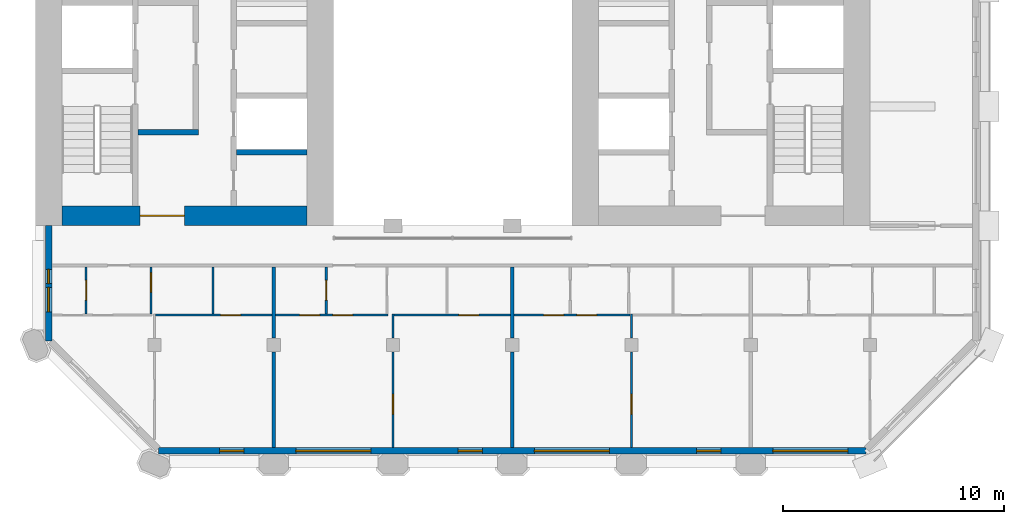
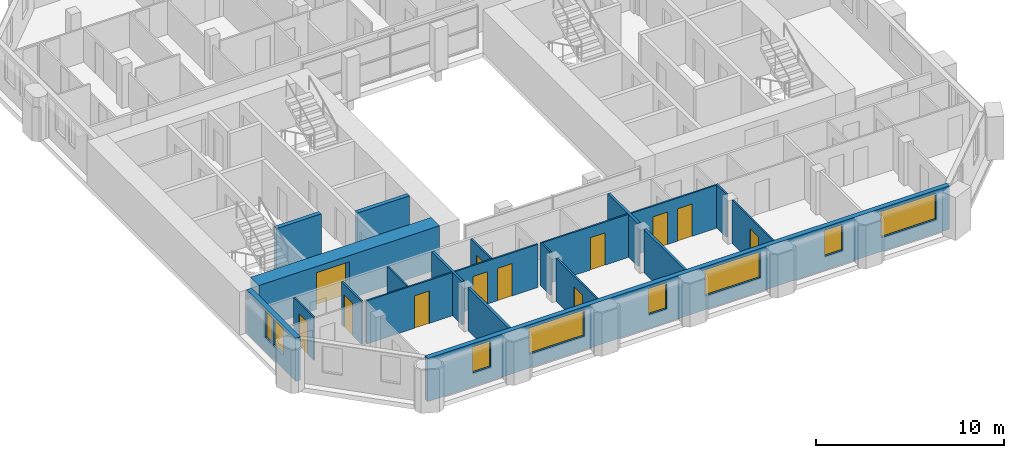
# One storey, part 4 of 13: 21 walls, 12 doors, 8 windows, 20 openings.
"""IFC4 building model written with IfcOpenShell, lengths in metres."""

from ifc_helpers import new_model, si_unit, direction, frame, frame_2d, origin, place, context, subcontext, project, spatial, rectangle, extrude, material, layer, layer_set, type_object, element, fill, save


model = new_model("IFC4")

# Units and contexts
model_context = context("Model", 3, precision=1e-05, world=origin(), true_north=direction((0.0, 1.0)))
body_context = subcontext(model_context, "Body", "Model", "MODEL_VIEW")
ifc_project = project(units=[si_unit("LENGTHUNIT", "METRE"), si_unit("AREAUNIT", "SQUARE_METRE"), si_unit("VOLUMEUNIT", "CUBIC_METRE"), si_unit("PLANEANGLEUNIT", "RADIAN"), si_unit("MASSUNIT", "GRAM", prefix="KILO")], contexts=[model_context])

# Site, building, storey
site_placement = place(None, origin())
site = spatial("IfcSite", under=ifc_project, at=site_placement, CompositionType="ELEMENT")
building_placement = place(site_placement, origin())
building = spatial("IfcBuilding", under=site, at=building_placement, Name="Tabaq Tower and Sports Hall", CompositionType="ELEMENT")
storey_placement = place(building_placement, frame((0.0, 0.0, 304.89990234375)))
storey = spatial("IfcBuildingStorey", under=building, at=storey_placement, Name="L76", CompositionType="ELEMENT", Elevation=304.89990234375)

# Wall, opening, door
ifc_material_1 = material(Name="Concrete C40/50", Category="concrete")
ifc_layer_1 = layer(ifc_material_1, 0.89990234375)
ifc_layer_set_1 = layer_set([ifc_layer_1], Name="Core wall 900 Concrete C40/50")
wall_type_1 = type_object("IfcWallType", Name="Core wall 900 Concrete C40/50", PredefinedType="SOLIDWALL", material=ifc_layer_set_1)
wall_1_placement = place(storey_placement, frame((17.699951171875, 16.64990234375, 0.0), z_axis=(0.0, 0.0, 1.0), x_axis=(-1.0, 0.0, 0.0)))
wall_1 = element("IfcWall", 1, at=wall_1_placement, inside=storey, type_object=wall_type_1, Name="Core wall W L76", PredefinedType="SOLIDWALL", context=body_context, shape_type="SweptSolid", body=[
    extrude(rectangle(XDim=11.099853515625, YDim=0.89990234375, at=frame_2d((5.5498046875, 0.0))), origin(), (0.0, 0.0, 1.0), 2.800048828125),
])
opening_1_placement = place(wall_1_placement, frame((5.550048828125, 0.0, 0.0)))
opening_1 = element("IfcOpeningElement", 2, at=opening_1_placement, cuts=wall_1, Name="Opening PD-WL76-01", PredefinedType="OPENING", context=body_context, shape_type="SweptSolid", body=[
    extrude(rectangle(XDim=2.0, YDim=2.39990234375, at=frame_2d((1.0, 1.199951171875))), frame((0.0, 0.449951171875, 0.0), z_axis=(0.0, -1.0, 0.0), x_axis=(1.0, 0.0, 0.0)), (0.0, 0.0, 1.0), 0.89990234375),
])
ifc_material_2 = material(Name="Steel fire door", Category="steel")
door_type_1 = type_object("IfcDoorType", Name="Core entrance door 2000", OperationType="DOUBLE_DOOR_SINGLE_SWING", PredefinedType="DOOR", material=ifc_material_2)
door_1_placement = place(opening_1_placement, origin())
door_1 = element("IfcDoor", 3, at=door_1_placement, inside=storey, type_object=door_type_1, Name="Core entrance south W L76", OperationType="DOUBLE_DOOR_SINGLE_SWING", OverallHeight=2.39990234375, OverallWidth=2.0, PredefinedType="DOOR", context=body_context, shape_type="SweptSolid", body=[
    extrude(rectangle(XDim=2.0, YDim=2.39990234375, at=frame_2d((1.0, 1.199951171875))), frame((0.0, 0.02490234375, 0.0), z_axis=(0.0, -1.0, 0.0), x_axis=(1.0, 0.0, 0.0)), (0.0, 0.0, 1.0), 0.050048828125),
])
fill(opening_1, door_1)

ifc_material_3 = material(Name="Gypsum board on steel studs", Category="steel")
ifc_layer_2 = layer(ifc_material_3, 0.10009765625)
ifc_layer_set_2 = layer_set([ifc_layer_2], Name="Partition 100 Gypsum board")
wall_type_2 = type_object("IfcWallType", Name="Partition 100 Gypsum board", PredefinedType="PARTITIONING", material=ifc_layer_set_2)
wall_2_placement = place(storey_placement, frame((16.125, 12.14990234375, 0.0), z_axis=(0.0, 0.0, 1.0), x_axis=(-1.0, 0.0, 0.0)))
wall_2 = element("IfcWall", 4, at=wall_2_placement, inside=storey, type_object=wall_type_2, Name="Partition wall L76", PredefinedType="PARTITIONING", context=body_context, shape_type="SweptSolid", body=[
    extrude(rectangle(XDim=5.27490234375, YDim=0.10009765625, at=frame_2d((2.637451171875, 0.0))), origin(), (0.0, 0.0, 1.0), 2.800048828125),
])
opening_2_placement = place(wall_2_placement, frame((1.429931640625, 0.0, 0.0)))
opening_2 = element("IfcOpeningElement", 5, at=opening_2_placement, cuts=wall_2, Name="Opening L76-019", PredefinedType="OPENING", context=body_context, shape_type="SweptSolid", body=[
    extrude(rectangle(XDim=0.89990234375, YDim=2.10009765625, at=frame_2d((0.449951171875, 1.050048828125))), frame((0.0, 0.050048828125, 0.0), z_axis=(0.0, -1.0, 0.0), x_axis=(1.0, 0.0, 0.0)), (0.0, 0.0, 1.0), 0.10009765625),
])
ifc_material_4 = material(Name="Timber leaf in steel frame", Category="steel")
door_type_2 = type_object("IfcDoorType", Name="Internal door 900 left hand", OperationType="SINGLE_SWING_LEFT", PredefinedType="DOOR", material=ifc_material_4)
door_2_placement = place(opening_2_placement, origin())
door_2 = element("IfcDoor", 6, at=door_2_placement, inside=storey, type_object=door_type_2, Name="Internal door L76-019", OperationType="SINGLE_SWING_LEFT", OverallHeight=2.10009765625, OverallWidth=0.89990234375, PredefinedType="DOOR", context=body_context, shape_type="SweptSolid", body=[
    extrude(rectangle(XDim=0.89990234375, YDim=2.10009765625, at=frame_2d((0.449951171875, 1.050048828125))), frame((0.0, 0.02490234375, 0.0), z_axis=(0.0, -1.0, 0.0), x_axis=(1.0, 0.0, 0.0)), (0.0, 0.0, 1.0), 0.050048828125),
])
fill(opening_2, door_2)

wall_3_placement = place(storey_placement, frame((7.699951171875, 12.199951171875, 0.0), z_axis=(0.0, 0.0, 1.0), x_axis=(0.0, 1.0, 0.0)))
wall_3 = element("IfcWall", 7, at=wall_3_placement, inside=storey, type_object=wall_type_2, Name="Partition wall L76", PredefinedType="PARTITIONING", context=body_context, shape_type="SweptSolid", body=[
    extrude(rectangle(XDim=2.125, YDim=0.10009765625, at=frame_2d((1.0625, 0.0))), origin(), (0.0, 0.0, 1.0), 2.800048828125),
])
opening_3_placement = place(wall_3_placement, frame((0.625, 0.0, 0.0)))
opening_3 = element("IfcOpeningElement", 8, at=opening_3_placement, cuts=wall_3, Name="Opening L76-041", PredefinedType="OPENING", context=body_context, shape_type="SweptSolid", body=[
    extrude(rectangle(XDim=0.89990234375, YDim=2.10009765625, at=frame_2d((0.449951171875, 1.050048828125))), frame((0.0, 0.050048828125, 0.0), z_axis=(0.0, -1.0, 0.0), x_axis=(1.0, 0.0, 0.0)), (0.0, 0.0, 1.0), 0.10009765625),
])
ifc_material_5 = material(Name="Timber leaf in steel frame", Category="steel")
door_type_3 = type_object("IfcDoorType", Name="Internal door 900 right hand", OperationType="SINGLE_SWING_RIGHT", PredefinedType="DOOR", material=ifc_material_5)
door_3_placement = place(opening_3_placement, origin())
door_3 = element("IfcDoor", 9, at=door_3_placement, inside=storey, type_object=door_type_3, Name="Internal door L76-041", OperationType="SINGLE_SWING_RIGHT", OverallHeight=2.10009765625, OverallWidth=0.89990234375, PredefinedType="DOOR", context=body_context, shape_type="SweptSolid", body=[
    extrude(rectangle(XDim=0.89990234375, YDim=2.10009765625, at=frame_2d((0.449951171875, 1.050048828125))), frame((0.0, 0.02490234375, 0.0), z_axis=(0.0, -1.0, 0.0), x_axis=(1.0, 0.0, 0.0)), (0.0, 0.0, 1.0), 0.050048828125),
])
fill(opening_3, door_3)

wall_4_placement = place(storey_placement, frame((10.639892578125, 12.199951171875, 0.0), z_axis=(0.0, 0.0, 1.0), x_axis=(0.0, 1.0, 0.0)))
wall_4 = element("IfcWall", 10, at=wall_4_placement, inside=storey, type_object=wall_type_2, Name="Partition wall L76", PredefinedType="PARTITIONING", context=body_context, shape_type="SweptSolid", body=[
    extrude(rectangle(XDim=2.125, YDim=0.10009765625, at=frame_2d((1.0625, 0.0))), origin(), (0.0, 0.0, 1.0), 2.800048828125),
])
opening_4_placement = place(wall_4_placement, frame((0.97509765625, 0.0, 0.0)))
opening_4 = element("IfcOpeningElement", 11, at=opening_4_placement, cuts=wall_4, Name="Opening L76-020", PredefinedType="OPENING", context=body_context, shape_type="SweptSolid", body=[
    extrude(rectangle(XDim=0.89990234375, YDim=2.10009765625, at=frame_2d((0.449951171875, 1.050048828125))), frame((0.0, 0.050048828125, 0.0), z_axis=(0.0, -1.0, 0.0), x_axis=(1.0, 0.0, 0.0)), (0.0, 0.0, 1.0), 0.10009765625),
])
door_4_placement = place(opening_4_placement, origin())
door_4 = element("IfcDoor", 12, at=door_4_placement, inside=storey, type_object=door_type_3, Name="Internal door L76-020", OperationType="SINGLE_SWING_RIGHT", OverallHeight=2.10009765625, OverallWidth=0.89990234375, PredefinedType="DOOR", context=body_context, shape_type="SweptSolid", body=[
    extrude(rectangle(XDim=0.89990234375, YDim=2.10009765625, at=frame_2d((0.449951171875, 1.050048828125))), frame((0.0, 0.02490234375, 0.0), z_axis=(0.0, -1.0, 0.0), x_axis=(1.0, 0.0, 0.0)), (0.0, 0.0, 1.0), 0.050048828125),
])
fill(opening_4, door_4)

# Wall
wall_5_placement = place(storey_placement, frame((13.43994140625, 12.199951171875, 0.0), z_axis=(0.0, 0.0, 1.0), x_axis=(0.0, 1.0, 0.0)))
element("IfcWall", 13, at=wall_5_placement, inside=storey, type_object=wall_type_2, Name="Partition wall L76", PredefinedType="PARTITIONING", context=body_context, shape_type="SweptSolid", body=[
    extrude(rectangle(XDim=2.125, YDim=0.10009765625, at=frame_2d((1.0625, 0.0))), origin(), (0.0, 0.0, 1.0), 2.800048828125),
])

# Wall, opening, door
wall_6_placement = place(storey_placement, frame((21.60009765625, 6.15087890625, 0.0), z_axis=(0.0, 0.0, 1.0), x_axis=(0.0, 1.0, 0.0)))
wall_6 = element("IfcWall", 14, at=wall_6_placement, inside=storey, type_object=wall_type_2, Name="Partition wall L76", PredefinedType="PARTITIONING", context=body_context, shape_type="SweptSolid", body=[
    extrude(rectangle(XDim=4.3291015625, YDim=0.10009765625, at=frame_2d((2.16455078125, 0.0))), origin(), (0.0, 0.0, 1.0), 2.800048828125),
])
opening_5_placement = place(wall_6_placement, frame((1.51806640625, 0.0, 0.0)))
opening_5 = element("IfcOpeningElement", 15, at=opening_5_placement, cuts=wall_6, Name="Opening L76-042", PredefinedType="OPENING", context=body_context, shape_type="SweptSolid", body=[
    extrude(rectangle(XDim=0.89990234375, YDim=2.10009765625, at=frame_2d((0.449951171875, 1.050048828125))), frame((0.0, 0.050048828125, 0.0), z_axis=(0.0, -1.0, 0.0), x_axis=(1.0, 0.0, 0.0)), (0.0, 0.0, 1.0), 0.10009765625),
])
door_5_placement = place(opening_5_placement, origin())
door_5 = element("IfcDoor", 16, at=door_5_placement, inside=storey, type_object=door_type_3, Name="Internal door L76-042", OperationType="SINGLE_SWING_RIGHT", OverallHeight=2.10009765625, OverallWidth=0.89990234375, PredefinedType="DOOR", context=body_context, shape_type="SweptSolid", body=[
    extrude(rectangle(XDim=0.89990234375, YDim=2.10009765625, at=frame_2d((0.449951171875, 1.050048828125))), frame((0.0, 0.02490234375, 0.0), z_axis=(0.0, -1.0, 0.0), x_axis=(1.0, 0.0, 0.0)), (0.0, 0.0, 1.0), 0.050048828125),
])
fill(opening_5, door_5)

# Wall
wall_7_placement = place(storey_placement, frame((21.60009765625, 11.1201171875, 0.0), z_axis=(0.0, 0.0, 1.0), x_axis=(0.0, 1.0, 0.0)))
element("IfcWall", 17, at=wall_7_placement, inside=storey, type_object=wall_type_2, Name="Partition wall L76", PredefinedType="PARTITIONING", context=body_context, shape_type="SweptSolid", body=[
    extrude(rectangle(XDim=1.079833984375, YDim=0.10009765625, at=frame_2d((0.5400390625, 0.0))), origin(), (0.0, 0.0, 1.0), 2.800048828125),
])

# Wall, openings, doors
wall_8_placement = place(storey_placement, frame((21.3720703125, 12.14990234375, 0.0), z_axis=(0.0, 0.0, 1.0), x_axis=(-1.0, 0.0, 0.0)))
wall_8 = element("IfcWall", 18, at=wall_8_placement, inside=storey, type_object=wall_type_2, Name="Partition wall L76", PredefinedType="PARTITIONING", context=body_context, shape_type="SweptSolid", body=[
    extrude(rectangle(XDim=5.09716796875, YDim=0.10009765625, at=frame_2d((2.548583984375, 0.0))), origin(), (0.0, 0.0, 1.0), 2.800048828125),
])
opening_6_placement = place(wall_8_placement, frame((3.10009765625, 0.0, 0.0)))
opening_6 = element("IfcOpeningElement", 19, at=opening_6_placement, cuts=wall_8, Name="Opening L76-043", PredefinedType="OPENING", context=body_context, shape_type="SweptSolid", body=[
    extrude(rectangle(XDim=0.89990234375, YDim=2.10009765625, at=frame_2d((0.449951171875, 1.050048828125))), frame((0.0, 0.050048828125, 0.0), z_axis=(0.0, -1.0, 0.0), x_axis=(1.0, 0.0, 0.0)), (0.0, 0.0, 1.0), 0.10009765625),
])
opening_7_placement = place(wall_8_placement, frame((1.60009765625, 0.0, 0.0)))
opening_7 = element("IfcOpeningElement", 20, at=opening_7_placement, cuts=wall_8, Name="Opening L76-056", PredefinedType="OPENING", context=body_context, shape_type="SweptSolid", body=[
    extrude(rectangle(XDim=0.89990234375, YDim=2.10009765625, at=frame_2d((0.449951171875, 1.050048828125))), frame((0.0, 0.050048828125, 0.0), z_axis=(0.0, -1.0, 0.0), x_axis=(1.0, 0.0, 0.0)), (0.0, 0.0, 1.0), 0.10009765625),
])
door_6_placement = place(opening_7_placement, origin())
door_6 = element("IfcDoor", 21, at=door_6_placement, inside=storey, type_object=door_type_2, Name="Internal door L76-056", OperationType="SINGLE_SWING_LEFT", OverallHeight=2.10009765625, OverallWidth=0.89990234375, PredefinedType="DOOR", context=body_context, shape_type="SweptSolid", body=[
    extrude(rectangle(XDim=0.89990234375, YDim=2.10009765625, at=frame_2d((0.449951171875, 1.050048828125))), frame((0.0, 0.02490234375, 0.0), z_axis=(0.0, -1.0, 0.0), x_axis=(1.0, 0.0, 0.0)), (0.0, 0.0, 1.0), 0.050048828125),
])
fill(opening_7, door_6)
door_7_placement = place(opening_6_placement, origin())
door_7 = element("IfcDoor", 22, at=door_7_placement, inside=storey, type_object=door_type_3, Name="Internal door L76-043", OperationType="SINGLE_SWING_RIGHT", OverallHeight=2.10009765625, OverallWidth=0.89990234375, PredefinedType="DOOR", context=body_context, shape_type="SweptSolid", body=[
    extrude(rectangle(XDim=0.89990234375, YDim=2.10009765625, at=frame_2d((0.449951171875, 1.050048828125))), frame((0.0, 0.02490234375, 0.0), z_axis=(0.0, -1.0, 0.0), x_axis=(1.0, 0.0, 0.0)), (0.0, 0.0, 1.0), 0.050048828125),
])
fill(opening_6, door_7)

# Wall, opening, door
wall_9_placement = place(storey_placement, frame((26.925048828125, 12.14990234375, 0.0), z_axis=(0.0, 0.0, 1.0), x_axis=(-1.0, 0.0, 0.0)))
wall_9 = element("IfcWall", 23, at=wall_9_placement, inside=storey, type_object=wall_type_2, Name="Partition wall L76", PredefinedType="PARTITIONING", context=body_context, shape_type="SweptSolid", body=[
    extrude(rectangle(XDim=5.275146484375, YDim=0.10009765625, at=frame_2d((2.6376953125, 0.0))), origin(), (0.0, 0.0, 1.0), 2.800048828125),
])
opening_8_placement = place(wall_9_placement, frame((1.441650390625, 0.0, 0.0)))
opening_8 = element("IfcOpeningElement", 24, at=opening_8_placement, cuts=wall_9, Name="Opening L76-021", PredefinedType="OPENING", context=body_context, shape_type="SweptSolid", body=[
    extrude(rectangle(XDim=0.89990234375, YDim=2.10009765625, at=frame_2d((0.449951171875, 1.050048828125))), frame((0.0, 0.050048828125, 0.0), z_axis=(0.0, -1.0, 0.0), x_axis=(1.0, 0.0, 0.0)), (0.0, 0.0, 1.0), 0.10009765625),
])
door_8_placement = place(opening_8_placement, origin())
door_8 = element("IfcDoor", 25, at=door_8_placement, inside=storey, type_object=door_type_2, Name="Internal door L76-021", OperationType="SINGLE_SWING_LEFT", OverallHeight=2.10009765625, OverallWidth=0.89990234375, PredefinedType="DOOR", context=body_context, shape_type="SweptSolid", body=[
    extrude(rectangle(XDim=0.89990234375, YDim=2.10009765625, at=frame_2d((0.449951171875, 1.050048828125))), frame((0.0, 0.02490234375, 0.0), z_axis=(0.0, -1.0, 0.0), x_axis=(1.0, 0.0, 0.0)), (0.0, 0.0, 1.0), 0.050048828125),
])
fill(opening_8, door_8)

wall_10_placement = place(storey_placement, frame((18.572021484375, 12.199951171875, 0.0), z_axis=(0.0, 0.0, 1.0), x_axis=(0.0, 1.0, 0.0)))
wall_10 = element("IfcWall", 26, at=wall_10_placement, inside=storey, type_object=wall_type_2, Name="Partition wall L76", PredefinedType="PARTITIONING", context=body_context, shape_type="SweptSolid", body=[
    extrude(rectangle(XDim=2.125, YDim=0.10009765625, at=frame_2d((1.0625, 0.0))), origin(), (0.0, 0.0, 1.0), 2.800048828125),
])
opening_9_placement = place(wall_10_placement, frame((0.625, 0.0, 0.0)))
opening_9 = element("IfcOpeningElement", 27, at=opening_9_placement, cuts=wall_10, Name="Opening L76-044", PredefinedType="OPENING", context=body_context, shape_type="SweptSolid", body=[
    extrude(rectangle(XDim=0.89990234375, YDim=2.10009765625, at=frame_2d((0.449951171875, 1.050048828125))), frame((0.0, 0.050048828125, 0.0), z_axis=(0.0, -1.0, 0.0), x_axis=(1.0, 0.0, 0.0)), (0.0, 0.0, 1.0), 0.10009765625),
])
door_9_placement = place(opening_9_placement, origin())
door_9 = element("IfcDoor", 28, at=door_9_placement, inside=storey, type_object=door_type_2, Name="Internal door L76-044", OperationType="SINGLE_SWING_LEFT", OverallHeight=2.10009765625, OverallWidth=0.89990234375, PredefinedType="DOOR", context=body_context, shape_type="SweptSolid", body=[
    extrude(rectangle(XDim=0.89990234375, YDim=2.10009765625, at=frame_2d((0.449951171875, 1.050048828125))), frame((0.0, 0.02490234375, 0.0), z_axis=(0.0, -1.0, 0.0), x_axis=(1.0, 0.0, 0.0)), (0.0, 0.0, 1.0), 0.050048828125),
])
fill(opening_9, door_9)

wall_11_placement = place(storey_placement, frame((32.39990234375, 6.15087890625, 0.0), z_axis=(0.0, 0.0, 1.0), x_axis=(0.0, 1.0, 0.0)))
wall_11 = element("IfcWall", 29, at=wall_11_placement, inside=storey, type_object=wall_type_2, Name="Partition wall L76", PredefinedType="PARTITIONING", context=body_context, shape_type="SweptSolid", body=[
    extrude(rectangle(XDim=4.3291015625, YDim=0.10009765625, at=frame_2d((2.16455078125, 0.0))), origin(), (0.0, 0.0, 1.0), 2.800048828125),
])
opening_10_placement = place(wall_11_placement, frame((1.51806640625, 0.0, 0.0)))
opening_10 = element("IfcOpeningElement", 30, at=opening_10_placement, cuts=wall_11, Name="Opening L76-045", PredefinedType="OPENING", context=body_context, shape_type="SweptSolid", body=[
    extrude(rectangle(XDim=0.89990234375, YDim=2.10009765625, at=frame_2d((0.449951171875, 1.050048828125))), frame((0.0, 0.050048828125, 0.0), z_axis=(0.0, -1.0, 0.0), x_axis=(1.0, 0.0, 0.0)), (0.0, 0.0, 1.0), 0.10009765625),
])
door_10_placement = place(opening_10_placement, origin())
door_10 = element("IfcDoor", 31, at=door_10_placement, inside=storey, type_object=door_type_2, Name="Internal door L76-045", OperationType="SINGLE_SWING_LEFT", OverallHeight=2.10009765625, OverallWidth=0.89990234375, PredefinedType="DOOR", context=body_context, shape_type="SweptSolid", body=[
    extrude(rectangle(XDim=0.89990234375, YDim=2.10009765625, at=frame_2d((0.449951171875, 1.050048828125))), frame((0.0, 0.02490234375, 0.0), z_axis=(0.0, -1.0, 0.0), x_axis=(1.0, 0.0, 0.0)), (0.0, 0.0, 1.0), 0.050048828125),
])
fill(opening_10, door_10)

# Wall
wall_12_placement = place(storey_placement, frame((32.39990234375, 11.1201171875, 0.0), z_axis=(0.0, 0.0, 1.0), x_axis=(0.0, 1.0, 0.0)))
element("IfcWall", 32, at=wall_12_placement, inside=storey, type_object=wall_type_2, Name="Partition wall L76", PredefinedType="PARTITIONING", context=body_context, shape_type="SweptSolid", body=[
    extrude(rectangle(XDim=1.079833984375, YDim=0.10009765625, at=frame_2d((0.5400390625, 0.0))), origin(), (0.0, 0.0, 1.0), 2.800048828125),
])

# Wall, openings, doors
wall_13_placement = place(storey_placement, frame((32.324951171875, 12.14990234375, 0.0), z_axis=(0.0, 0.0, 1.0), x_axis=(-1.0, 0.0, 0.0)))
wall_13 = element("IfcWall", 33, at=wall_13_placement, inside=storey, type_object=wall_type_2, Name="Partition wall L76", PredefinedType="PARTITIONING", context=body_context, shape_type="SweptSolid", body=[
    extrude(rectangle(XDim=5.25, YDim=0.10009765625, at=frame_2d((2.625, 0.0))), origin(), (0.0, 0.0, 1.0), 2.800048828125),
])
opening_11_placement = place(wall_13_placement, frame((3.0, 0.0, 0.0)))
opening_11 = element("IfcOpeningElement", 34, at=opening_11_placement, cuts=wall_13, Name="Opening L76-046", PredefinedType="OPENING", context=body_context, shape_type="SweptSolid", body=[
    extrude(rectangle(XDim=0.89990234375, YDim=2.10009765625, at=frame_2d((0.449951171875, 1.050048828125))), frame((0.0, 0.050048828125, 0.0), z_axis=(0.0, -1.0, 0.0), x_axis=(1.0, 0.0, 0.0)), (0.0, 0.0, 1.0), 0.10009765625),
])
opening_12_placement = place(wall_13_placement, frame((1.5, 0.0, 0.0)))
opening_12 = element("IfcOpeningElement", 35, at=opening_12_placement, cuts=wall_13, Name="Opening L76-057", PredefinedType="OPENING", context=body_context, shape_type="SweptSolid", body=[
    extrude(rectangle(XDim=0.89990234375, YDim=2.10009765625, at=frame_2d((0.449951171875, 1.050048828125))), frame((0.0, 0.050048828125, 0.0), z_axis=(0.0, -1.0, 0.0), x_axis=(1.0, 0.0, 0.0)), (0.0, 0.0, 1.0), 0.10009765625),
])
door_11_placement = place(opening_12_placement, origin())
door_11 = element("IfcDoor", 36, at=door_11_placement, inside=storey, type_object=door_type_2, Name="Internal door L76-057", OperationType="SINGLE_SWING_LEFT", OverallHeight=2.10009765625, OverallWidth=0.89990234375, PredefinedType="DOOR", context=body_context, shape_type="SweptSolid", body=[
    extrude(rectangle(XDim=0.89990234375, YDim=2.10009765625, at=frame_2d((0.449951171875, 1.050048828125))), frame((0.0, 0.02490234375, 0.0), z_axis=(0.0, -1.0, 0.0), x_axis=(1.0, 0.0, 0.0)), (0.0, 0.0, 1.0), 0.050048828125),
])
fill(opening_12, door_11)
door_12_placement = place(opening_11_placement, origin())
door_12 = element("IfcDoor", 37, at=door_12_placement, inside=storey, type_object=door_type_3, Name="Internal door L76-046", OperationType="SINGLE_SWING_RIGHT", OverallHeight=2.10009765625, OverallWidth=0.89990234375, PredefinedType="DOOR", context=body_context, shape_type="SweptSolid", body=[
    extrude(rectangle(XDim=0.89990234375, YDim=2.10009765625, at=frame_2d((0.449951171875, 1.050048828125))), frame((0.0, 0.02490234375, 0.0), z_axis=(0.0, -1.0, 0.0), x_axis=(1.0, 0.0, 0.0)), (0.0, 0.0, 1.0), 0.050048828125),
])
fill(opening_11, door_12)

# Walls
ifc_material_6 = material(Name="Blockwork", Category="masonry")
ifc_layer_3 = layer(ifc_material_6, 0.14990234375)
ifc_layer_set_3 = layer_set([ifc_layer_3], Name="Separating wall 150 Blockwork")
wall_type_3 = type_object("IfcWallType", Name="Separating wall 150 Blockwork", PredefinedType="PARTITIONING", material=ifc_layer_set_3)
wall_14_placement = place(storey_placement, frame((16.199951171875, 6.15087890625, 0.0), z_axis=(0.0, 0.0, 1.0), x_axis=(0.0, 1.0, 0.0)))
element("IfcWall", 38, at=wall_14_placement, inside=storey, type_object=wall_type_3, Name="Separating wall L76", PredefinedType="PARTITIONING", context=body_context, shape_type="SweptSolid", body=[
    extrude(rectangle(XDim=4.3291015625, YDim=0.14990234375, at=frame_2d((2.16455078125, 0.0))), origin(), (0.0, 0.0, 1.0), 2.800048828125),
])
wall_15_placement = place(storey_placement, frame((16.199951171875, 11.1201171875, 0.0), z_axis=(0.0, 0.0, 1.0), x_axis=(0.0, 1.0, 0.0)))
element("IfcWall", 39, at=wall_15_placement, inside=storey, type_object=wall_type_3, Name="Separating wall L76", PredefinedType="PARTITIONING", context=body_context, shape_type="SweptSolid", body=[
    extrude(rectangle(XDim=3.204833984375, YDim=0.14990234375, at=frame_2d((1.6025390625, 0.0))), origin(), (0.0, 0.0, 1.0), 2.800048828125),
])
wall_16_placement = place(storey_placement, frame((27.0, 6.15087890625, 0.0), z_axis=(0.0, 0.0, 1.0), x_axis=(0.0, 1.0, 0.0)))
element("IfcWall", 40, at=wall_16_placement, inside=storey, type_object=wall_type_3, Name="Separating wall L76", PredefinedType="PARTITIONING", context=body_context, shape_type="SweptSolid", body=[
    extrude(rectangle(XDim=4.3291015625, YDim=0.14990234375, at=frame_2d((2.16455078125, 0.0))), origin(), (0.0, 0.0, 1.0), 2.800048828125),
])
wall_17_placement = place(storey_placement, frame((27.0, 11.1201171875, 0.0), z_axis=(0.0, 0.0, 1.0), x_axis=(0.0, 1.0, 0.0)))
element("IfcWall", 41, at=wall_17_placement, inside=storey, type_object=wall_type_3, Name="Separating wall L76", PredefinedType="PARTITIONING", context=body_context, shape_type="SweptSolid", body=[
    extrude(rectangle(XDim=3.204833984375, YDim=0.14990234375, at=frame_2d((1.6025390625, 0.0))), origin(), (0.0, 0.0, 1.0), 2.800048828125),
])
ifc_material_7 = material(Name="Concrete C40/50", Category="concrete")
ifc_layer_4 = layer(ifc_material_7, 0.25)
ifc_layer_set_4 = layer_set([ifc_layer_4], Name="Shaft and stair wall 250 Concrete C40/50")
wall_type_4 = type_object("IfcWallType", Name="Shaft and stair wall 250 Concrete C40/50", PredefinedType="SOLIDWALL", material=ifc_layer_set_4)
wall_18_placement = place(storey_placement, frame((10.050048828125, 20.425048828125, 0.0), z_axis=(0.0, 0.0, 1.0), x_axis=(1.0, 0.0, 0.0)))
element("IfcWall", 42, at=wall_18_placement, inside=storey, type_object=wall_type_4, Name="Fire-fighting lobby wall W L76", PredefinedType="SOLIDWALL", context=body_context, shape_type="SweptSolid", body=[
    extrude(rectangle(XDim=2.75, YDim=0.25, at=frame_2d((1.375, 0.0))), origin(), (0.0, 0.0, 1.0), 2.800048828125),
])
wall_19_placement = place(storey_placement, frame((14.5, 19.52490234375, 0.0), z_axis=(0.0, 0.0, 1.0), x_axis=(1.0, 0.0, 0.0)))
element("IfcWall", 43, at=wall_19_placement, inside=storey, type_object=wall_type_4, Name="Shaft wall W L76", PredefinedType="SOLIDWALL", context=body_context, shape_type="SweptSolid", body=[
    extrude(rectangle(XDim=3.199951171875, YDim=0.25, at=frame_2d((1.60009765625, 0.0))), origin(), (0.0, 0.0, 1.0), 2.800048828125),
])

# Wall, openings, windows
ifc_material_8 = material(Name="White precast concrete C60/75", Category="concrete")
ifc_layer_5 = layer(ifc_material_8, 0.300048828125)
ifc_layer_set_5 = layer_set([ifc_layer_5], Name="White precast concrete C60/75 external wall 300")
wall_type_5 = type_object("IfcWallType", Name="White precast concrete C60/75 external wall 300", PredefinedType="SOLIDWALL", material=ifc_layer_set_5)
wall_20_placement = place(storey_placement, frame((10.986328125, 6.0, 0.0), z_axis=(0.0, 0.0, 1.0), x_axis=(1.0, 0.0, 0.0)))
wall_20 = element("IfcWall", 44, at=wall_20_placement, inside=storey, type_object=wall_type_5, Name="External Wall L76 S", PredefinedType="SOLIDWALL", context=body_context, shape_type="SweptSolid", body=[
    extrude(rectangle(XDim=32.02734375, YDim=0.300048828125, at=frame_2d((16.013671875, 0.0))), origin(), (0.0, 0.0, 1.0), 2.800048828125),
])
opening_13_placement = place(wall_20_placement, frame((2.763671875, 0.0, 0.89990234375)))
opening_13 = element("IfcOpeningElement", 45, at=opening_13_placement, cuts=wall_20, Name="Opening W1B", PredefinedType="OPENING", context=body_context, shape_type="SweptSolid", body=[
    extrude(rectangle(XDim=1.10009765625, YDim=1.699951171875, at=frame_2d((0.550048828125, 0.85009765625))), frame((0.0, 0.16015625, 0.0), z_axis=(0.0, -1.0, 0.0), x_axis=(1.0, 0.0, 0.0)), (0.0, 0.0, 1.0), 0.320068359375),
])
opening_14_placement = place(wall_20_placement, frame((6.213623046875, 0.0, 0.89990234375)))
opening_14 = element("IfcOpeningElement", 46, at=opening_14_placement, cuts=wall_20, Name="Opening W1A", PredefinedType="OPENING", context=body_context, shape_type="SweptSolid", body=[
    extrude(rectangle(XDim=3.39990234375, YDim=1.699951171875, at=frame_2d((1.699951171875, 0.85009765625))), frame((0.0, 0.16015625, 0.0), z_axis=(0.0, -1.0, 0.0), x_axis=(1.0, 0.0, 0.0)), (0.0, 0.0, 1.0), 0.320068359375),
])
opening_15_placement = place(wall_20_placement, frame((13.563720703125, 0.0, 0.89990234375)))
opening_15 = element("IfcOpeningElement", 47, at=opening_15_placement, cuts=wall_20, Name="Opening W1B", PredefinedType="OPENING", context=body_context, shape_type="SweptSolid", body=[
    extrude(rectangle(XDim=1.10009765625, YDim=1.699951171875, at=frame_2d((0.550048828125, 0.85009765625))), frame((0.0, 0.16015625, 0.0), z_axis=(0.0, -1.0, 0.0), x_axis=(1.0, 0.0, 0.0)), (0.0, 0.0, 1.0), 0.320068359375),
])
opening_16_placement = place(wall_20_placement, frame((17.013671875, 0.0, 0.89990234375)))
opening_16 = element("IfcOpeningElement", 48, at=opening_16_placement, cuts=wall_20, Name="Opening W1A", PredefinedType="OPENING", context=body_context, shape_type="SweptSolid", body=[
    extrude(rectangle(XDim=3.39990234375, YDim=1.699951171875, at=frame_2d((1.699951171875, 0.85009765625))), frame((0.0, 0.16015625, 0.0), z_axis=(0.0, -1.0, 0.0), x_axis=(1.0, 0.0, 0.0)), (0.0, 0.0, 1.0), 0.320068359375),
])
opening_17_placement = place(wall_20_placement, frame((24.363525390625, 0.0, 0.89990234375)))
opening_17 = element("IfcOpeningElement", 49, at=opening_17_placement, cuts=wall_20, Name="Opening W1B", PredefinedType="OPENING", context=body_context, shape_type="SweptSolid", body=[
    extrude(rectangle(XDim=1.10009765625, YDim=1.699951171875, at=frame_2d((0.550048828125, 0.85009765625))), frame((0.0, 0.16015625, 0.0), z_axis=(0.0, -1.0, 0.0), x_axis=(1.0, 0.0, 0.0)), (0.0, 0.0, 1.0), 0.320068359375),
])
opening_18_placement = place(wall_20_placement, frame((27.813720703125, 0.0, 0.89990234375)))
opening_18 = element("IfcOpeningElement", 50, at=opening_18_placement, cuts=wall_20, Name="Opening W1A", PredefinedType="OPENING", context=body_context, shape_type="SweptSolid", body=[
    extrude(rectangle(XDim=3.39990234375, YDim=1.699951171875, at=frame_2d((1.699951171875, 0.85009765625))), frame((0.0, 0.16015625, 0.0), z_axis=(0.0, -1.0, 0.0), x_axis=(1.0, 0.0, 0.0)), (0.0, 0.0, 1.0), 0.320068359375),
])
ifc_material_9 = material(Name="Aluminium framed clear glazing", Category="aluminium")
window_type_1 = type_object("IfcWindowType", Name="Window W1A", PartitioningType="SINGLE_PANEL", PredefinedType="WINDOW", material=ifc_material_9)
window_1_placement = place(opening_14_placement, origin())
window_1 = element("IfcWindow", 51, at=window_1_placement, inside=storey, type_object=window_type_1, Name="Window W1A L76", OverallHeight=1.699951171875, OverallWidth=3.39990234375, PartitioningType="SINGLE_PANEL", PredefinedType="WINDOW", context=body_context, shape_type="SweptSolid", body=[
    extrude(rectangle(XDim=3.39990234375, YDim=1.699951171875, at=frame_2d((1.699951171875, 0.85009765625))), frame((0.0, 0.030029296875, 0.0), z_axis=(0.0, -1.0, 0.0), x_axis=(1.0, 0.0, 0.0)), (0.0, 0.0, 1.0), 0.06005859375),
])
fill(opening_14, window_1)
window_2_placement = place(opening_16_placement, origin())
window_2 = element("IfcWindow", 52, at=window_2_placement, inside=storey, type_object=window_type_1, Name="Window W1A L76", OverallHeight=1.699951171875, OverallWidth=3.39990234375, PartitioningType="SINGLE_PANEL", PredefinedType="WINDOW", context=body_context, shape_type="SweptSolid", body=[
    extrude(rectangle(XDim=3.39990234375, YDim=1.699951171875, at=frame_2d((1.699951171875, 0.85009765625))), frame((0.0, 0.030029296875, 0.0), z_axis=(0.0, -1.0, 0.0), x_axis=(1.0, 0.0, 0.0)), (0.0, 0.0, 1.0), 0.06005859375),
])
fill(opening_16, window_2)
window_3_placement = place(opening_18_placement, origin())
window_3 = element("IfcWindow", 53, at=window_3_placement, inside=storey, type_object=window_type_1, Name="Window W1A L76", OverallHeight=1.699951171875, OverallWidth=3.39990234375, PartitioningType="SINGLE_PANEL", PredefinedType="WINDOW", context=body_context, shape_type="SweptSolid", body=[
    extrude(rectangle(XDim=3.39990234375, YDim=1.699951171875, at=frame_2d((1.699951171875, 0.85009765625))), frame((0.0, 0.030029296875, 0.0), z_axis=(0.0, -1.0, 0.0), x_axis=(1.0, 0.0, 0.0)), (0.0, 0.0, 1.0), 0.06005859375),
])
fill(opening_18, window_3)
ifc_material_10 = material(Name="Aluminium framed clear glazing", Category="aluminium")
window_type_2 = type_object("IfcWindowType", Name="Window W1B", PartitioningType="SINGLE_PANEL", PredefinedType="WINDOW", material=ifc_material_10)
window_4_placement = place(opening_13_placement, origin())
window_4 = element("IfcWindow", 54, at=window_4_placement, inside=storey, type_object=window_type_2, Name="Window W1B L76", OverallHeight=1.699951171875, OverallWidth=1.10009765625, PartitioningType="SINGLE_PANEL", PredefinedType="WINDOW", context=body_context, shape_type="SweptSolid", body=[
    extrude(rectangle(XDim=1.10009765625, YDim=1.699951171875, at=frame_2d((0.550048828125, 0.85009765625))), frame((0.0, 0.030029296875, 0.0), z_axis=(0.0, -1.0, 0.0), x_axis=(1.0, 0.0, 0.0)), (0.0, 0.0, 1.0), 0.06005859375),
])
fill(opening_13, window_4)
window_5_placement = place(opening_15_placement, origin())
window_5 = element("IfcWindow", 55, at=window_5_placement, inside=storey, type_object=window_type_2, Name="Window W1B L76", OverallHeight=1.699951171875, OverallWidth=1.10009765625, PartitioningType="SINGLE_PANEL", PredefinedType="WINDOW", context=body_context, shape_type="SweptSolid", body=[
    extrude(rectangle(XDim=1.10009765625, YDim=1.699951171875, at=frame_2d((0.550048828125, 0.85009765625))), frame((0.0, 0.030029296875, 0.0), z_axis=(0.0, -1.0, 0.0), x_axis=(1.0, 0.0, 0.0)), (0.0, 0.0, 1.0), 0.06005859375),
])
fill(opening_15, window_5)
window_6_placement = place(opening_17_placement, origin())
window_6 = element("IfcWindow", 56, at=window_6_placement, inside=storey, type_object=window_type_2, Name="Window W1B L76", OverallHeight=1.699951171875, OverallWidth=1.10009765625, PartitioningType="SINGLE_PANEL", PredefinedType="WINDOW", context=body_context, shape_type="SweptSolid", body=[
    extrude(rectangle(XDim=1.10009765625, YDim=1.699951171875, at=frame_2d((0.550048828125, 0.85009765625))), frame((0.0, 0.030029296875, 0.0), z_axis=(0.0, -1.0, 0.0), x_axis=(1.0, 0.0, 0.0)), (0.0, 0.0, 1.0), 0.06005859375),
])
fill(opening_17, window_6)

wall_21_placement = place(storey_placement, frame((6.0, 16.199951171875, 0.0), z_axis=(0.0, 0.0, 1.0), x_axis=(0.0, -1.0, 0.0)))
wall_21 = element("IfcWall", 57, at=wall_21_placement, inside=storey, type_object=wall_type_5, Name="External Wall L76 W", PredefinedType="SOLIDWALL", context=body_context, shape_type="SweptSolid", body=[
    extrude(rectangle(XDim=5.213623046875, YDim=0.300048828125, at=frame_2d((2.60693359375, 0.0))), origin(), (0.0, 0.0, 1.0), 2.800048828125),
])
opening_19_placement = place(wall_21_placement, frame((1.97509765625, 0.0, 0.89990234375)))
opening_19 = element("IfcOpeningElement", 58, at=opening_19_placement, cuts=wall_21, Name="Opening W1C", PredefinedType="OPENING", context=body_context, shape_type="SweptSolid", body=[
    extrude(rectangle(XDim=0.64990234375, YDim=1.699951171875, at=frame_2d((0.324951171875, 0.85009765625))), frame((0.0, 0.16015625, 0.0), z_axis=(0.0, -1.0, 0.0), x_axis=(1.0, 0.0, 0.0)), (0.0, 0.0, 1.0), 0.320068359375),
])
opening_20_placement = place(wall_21_placement, frame((2.800048828125, 0.0, 0.89990234375)))
opening_20 = element("IfcOpeningElement", 59, at=opening_20_placement, cuts=wall_21, Name="Opening W1B", PredefinedType="OPENING", context=body_context, shape_type="SweptSolid", body=[
    extrude(rectangle(XDim=1.10009765625, YDim=1.699951171875, at=frame_2d((0.550048828125, 0.85009765625))), frame((0.0, 0.16015625, 0.0), z_axis=(0.0, -1.0, 0.0), x_axis=(1.0, 0.0, 0.0)), (0.0, 0.0, 1.0), 0.320068359375),
])
window_7_placement = place(opening_20_placement, origin())
window_7 = element("IfcWindow", 60, at=window_7_placement, inside=storey, type_object=window_type_2, Name="Window W1B L76", OverallHeight=1.699951171875, OverallWidth=1.10009765625, PartitioningType="SINGLE_PANEL", PredefinedType="WINDOW", context=body_context, shape_type="SweptSolid", body=[
    extrude(rectangle(XDim=1.10009765625, YDim=1.699951171875, at=frame_2d((0.550048828125, 0.85009765625))), frame((0.0, 0.030029296875, 0.0), z_axis=(0.0, -1.0, 0.0), x_axis=(1.0, 0.0, 0.0)), (0.0, 0.0, 1.0), 0.06005859375),
])
fill(opening_20, window_7)
ifc_material_11 = material(Name="Aluminium framed clear glazing", Category="aluminium")
window_type_3 = type_object("IfcWindowType", Name="Window W1C", PartitioningType="SINGLE_PANEL", PredefinedType="WINDOW", material=ifc_material_11)
window_8_placement = place(opening_19_placement, origin())
window_8 = element("IfcWindow", 61, at=window_8_placement, inside=storey, type_object=window_type_3, Name="Window W1C L76", OverallHeight=1.699951171875, OverallWidth=0.64990234375, PartitioningType="SINGLE_PANEL", PredefinedType="WINDOW", context=body_context, shape_type="SweptSolid", body=[
    extrude(rectangle(XDim=0.64990234375, YDim=1.699951171875, at=frame_2d((0.324951171875, 0.85009765625))), frame((0.0, 0.030029296875, 0.0), z_axis=(0.0, -1.0, 0.0), x_axis=(1.0, 0.0, 0.0)), (0.0, 0.0, 1.0), 0.06005859375),
])
fill(opening_19, window_8)

save(model, "model.ifc")
